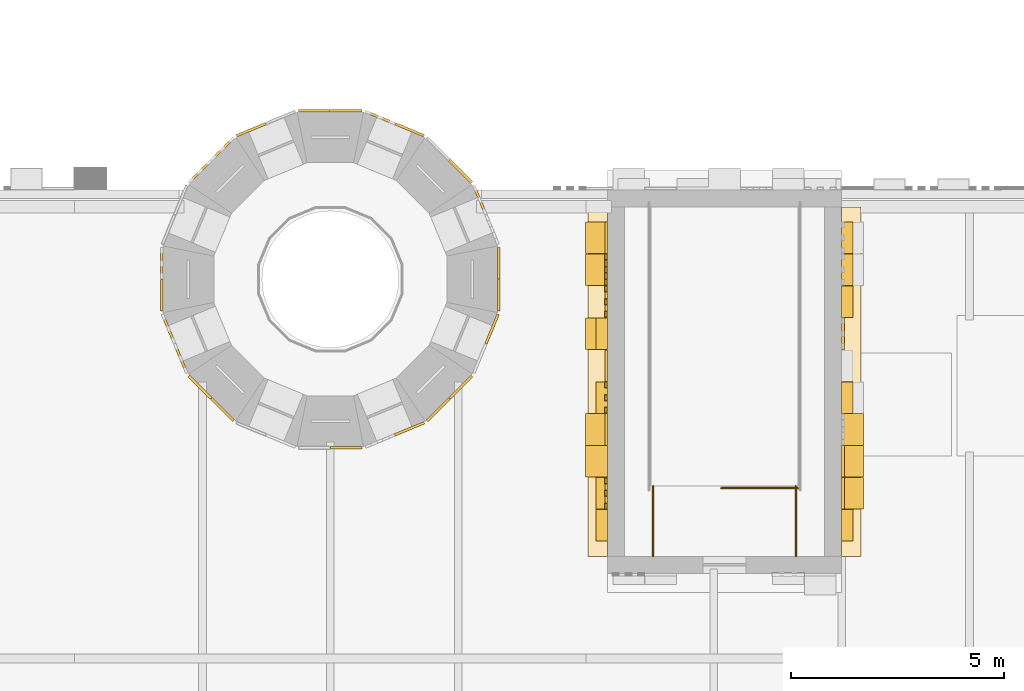
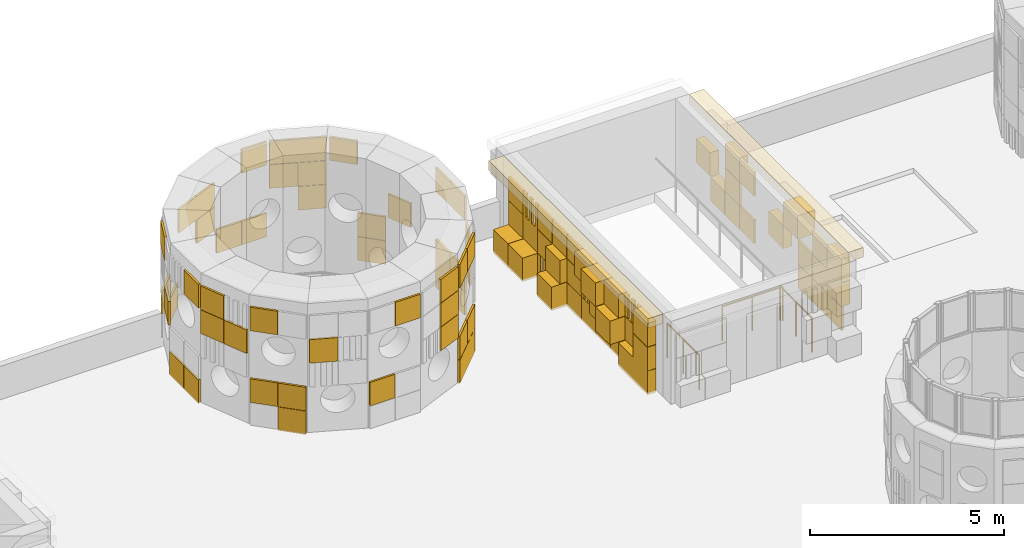
# One storey, part 71 of 98: 15 coverings, 3 railings.
"""IFC4 building model written with IfcOpenShell, lengths in metres."""

from ifc_helpers import new_model, si_unit, direction, frame, origin, origin_2d, place, context, subcontext, project, spatial, rectangle, circle, extrude, material, layer, layer_set, type_object, element, save


model = new_model("IFC4")

# Units and contexts
model_context = context("Model", 3, precision=1e-05, world=origin(), true_north=direction((0.0, 1.0)))
body_context = subcontext(model_context, "Body", "Model", "MODEL_VIEW")
ifc_project = project(units=[si_unit("LENGTHUNIT", "METRE"), si_unit("AREAUNIT", "SQUARE_METRE"), si_unit("VOLUMEUNIT", "CUBIC_METRE"), si_unit("PLANEANGLEUNIT", "RADIAN"), si_unit("MASSUNIT", "GRAM", prefix="KILO")], contexts=[model_context])

# Site, building, storey
site_placement = place(None, origin())
site = spatial("IfcSite", under=ifc_project, at=site_placement, CompositionType="ELEMENT")
building_placement = place(site_placement, origin())
building = spatial("IfcBuilding", under=site, at=building_placement, Name="Sun Court Science Centre", CompositionType="ELEMENT")
storey_placement = place(building_placement, frame((0.0, 0.0, 15.75)))
storey = spatial("IfcBuildingStorey", under=building, at=storey_placement, Name="L03", CompositionType="ELEMENT", Elevation=15.75)

# Railings
ifc_material_1 = material(Name="Steel S275", Category="steel")
railing_type = type_object("IfcRailingType", Name="Guard 1100 steel balustrade", PredefinedType="GUARDRAIL", material=ifc_material_1)
railing_placement = place(storey_placement, frame((28.972900390625, 20.998046875, 0.0)))
element("IfcRailing", 1, at=railing_placement, inside=storey, type_object=railing_type, Name="L03 SB2 top well guard 1", PredefinedType="GUARDRAIL", context=body_context, shape_type="SweptSolid", body=[
    extrude(circle(Radius=0.02392578125, at=origin_2d()), frame((0.0, 0.0, 1.076171875), z_axis=(-1.0, 0.0, 0.0), x_axis=(0.0, -1.0, 0.0)), (0.0, 0.0, 1.0), 1.7978515625),
    extrude(circle(Radius=0.02099609375, at=origin_2d()), origin(), (0.0, 0.0, 1.0), 1.052001953125),
    extrude(circle(Radius=0.02099609375, at=origin_2d()), frame((-0.89892578125, 0.0, 0.0)), (0.0, 0.0, 1.0), 1.052001953125),
    extrude(circle(Radius=0.02099609375, at=origin_2d()), frame((-1.7978515625, 0.0, 0.0)), (0.0, 0.0, 1.0), 1.052001953125),
])
for number, where, name in (
    (2, (28.923095703125, 19.39990234375, 0.0), "L03 SB2 top well guard 4"),
    (3, (25.576904296875, 19.39990234375, 0.0), "L03 SB2 top well guard 5"),
):
    element("IfcRailing", number, at=place(storey_placement, frame(where)), inside=storey, type_object=railing_type, Name=name, PredefinedType="GUARDRAIL", context=body_context, shape_type="SweptSolid", body=[
        extrude(circle(Radius=0.02392578125, at=origin_2d()), frame((0.0, 0.0, 1.076171875), z_axis=(0.0, 1.0, 0.0), x_axis=(-1.0, 0.0, 0.0)), (0.0, 0.0, 1.0), 1.648193359375),
        extrude(circle(Radius=0.02099609375, at=origin_2d()), origin(), (0.0, 0.0, 1.0), 1.052001953125),
        extrude(circle(Radius=0.02099609375, at=origin_2d()), frame((0.0, 0.82421875, 0.0)), (0.0, 0.0, 1.0), 1.052001953125),
        extrude(circle(Radius=0.02099609375, at=origin_2d()), frame((0.0, 1.648193359375, 0.0)), (0.0, 0.0, 1.0), 1.052001953125),
    ])

# Coverings
ifc_material_2 = material(Name="Terracotta panel", Category="masonry")
ifc_layer_1 = layer(ifc_material_2, 0.449951171875)
ifc_layer_set_1 = layer_set([ifc_layer_1], Name="Terracotta panel")
covering_type_1 = type_object("IfcCoveringType", Name="Terracotta cornice 450", PredefinedType="CLADDING", material=ifc_layer_set_1)
covering_1_placement = place(storey_placement, frame((0.0, 0.0, -15.75)))
element("IfcCovering", 4, at=covering_1_placement, inside=storey, type_object=covering_type_1, Name="Terracotta cornice east face of core L03", PredefinedType="CLADDING", context=body_context, shape_type="SweptSolid", body=[
    extrude(rectangle(XDim=8.199951171875, YDim=0.449951171875, at=origin_2d()), frame((30.22509765625, 23.5, 18.2001953125), z_axis=(0.0, 0.0, 1.0), x_axis=(0.0, -1.0, 0.0)), (0.0, 0.0, 1.0), 0.300048828125),
])
covering_2_placement = place(storey_placement, frame((0.0, 0.0, -15.75)))
element("IfcCovering", 5, at=covering_2_placement, inside=storey, type_object=covering_type_1, Name="Terracotta cornice west face of core L03", PredefinedType="CLADDING", context=body_context, shape_type="SweptSolid", body=[
    extrude(rectangle(XDim=8.199951171875, YDim=0.449951171875, at=origin_2d()), frame((24.27490234375, 23.5, 18.2001953125), z_axis=(0.0, 0.0, 1.0), x_axis=(0.0, 1.0, 0.0)), (0.0, 0.0, 1.0), 0.300048828125),
])
ifc_material_3 = material(Name="Terracotta jali", Category="masonry")
ifc_layer_2 = layer(ifc_material_3, 0.06005859375)
ifc_layer_set_2 = layer_set([ifc_layer_2], Name="Terracotta jali")
covering_type_2 = type_object("IfcCoveringType", Name="Terracotta open jali panel", PredefinedType="CLADDING", material=ifc_layer_set_2)
covering_3_placement = place(storey_placement, frame((0.0, 0.0, -15.75)))
element("IfcCovering", 6, at=covering_3_placement, inside=storey, type_object=covering_type_2, Name="Open jali pixel cladding west face of core L03", PredefinedType="CLADDING", context=body_context, shape_type="SweptSolid", body=[
    extrude(rectangle(XDim=0.139892578125, YDim=0.06005859375, at=origin_2d()), frame((24.469970703125, 25.074951171875, 15.830078125), z_axis=(0.0, 0.0, 1.0), x_axis=(0.0, 1.0, 0.0)), (0.0, 0.0, 1.0), 0.739990234375),
    extrude(rectangle(XDim=0.139892578125, YDim=0.06005859375, at=origin_2d()), frame((24.469970703125, 25.375, 15.830078125), z_axis=(0.0, 0.0, 1.0), x_axis=(0.0, 1.0, 0.0)), (0.0, 0.0, 1.0), 0.739990234375),
    extrude(rectangle(XDim=0.139892578125, YDim=0.06005859375, at=origin_2d()), frame((24.469970703125, 25.675048828125, 15.830078125), z_axis=(0.0, 0.0, 1.0), x_axis=(0.0, 1.0, 0.0)), (0.0, 0.0, 1.0), 0.739990234375),
    extrude(rectangle(XDim=0.139892578125, YDim=0.06005859375, at=origin_2d()), frame((24.469970703125, 22.824951171875, 16.580078125), z_axis=(0.0, 0.0, 1.0), x_axis=(0.0, 1.0, 0.0)), (0.0, 0.0, 1.0), 0.739990234375),
    extrude(rectangle(XDim=0.139892578125, YDim=0.06005859375, at=origin_2d()), frame((24.469970703125, 23.125, 16.580078125), z_axis=(0.0, 0.0, 1.0), x_axis=(0.0, 1.0, 0.0)), (0.0, 0.0, 1.0), 0.739990234375),
    extrude(rectangle(XDim=0.139892578125, YDim=0.06005859375, at=origin_2d()), frame((24.469970703125, 23.425048828125, 16.580078125), z_axis=(0.0, 0.0, 1.0), x_axis=(0.0, 1.0, 0.0)), (0.0, 0.0, 1.0), 0.739990234375),
    extrude(rectangle(XDim=0.139892578125, YDim=0.06005859375, at=origin_2d()), frame((24.469970703125, 20.574951171875, 17.330078125), z_axis=(0.0, 0.0, 1.0), x_axis=(0.0, 1.0, 0.0)), (0.0, 0.0, 1.0), 0.739990234375),
    extrude(rectangle(XDim=0.139892578125, YDim=0.06005859375, at=origin_2d()), frame((24.469970703125, 20.875, 17.330078125), z_axis=(0.0, 0.0, 1.0), x_axis=(0.0, 1.0, 0.0)), (0.0, 0.0, 1.0), 0.739990234375),
    extrude(rectangle(XDim=0.139892578125, YDim=0.06005859375, at=origin_2d()), frame((24.469970703125, 21.175048828125, 17.330078125), z_axis=(0.0, 0.0, 1.0), x_axis=(0.0, 1.0, 0.0)), (0.0, 0.0, 1.0), 0.739990234375),
    extrude(rectangle(XDim=0.139892578125, YDim=0.06005859375, at=origin_2d()), frame((24.469970703125, 25.824951171875, 17.330078125), z_axis=(0.0, 0.0, 1.0), x_axis=(0.0, 1.0, 0.0)), (0.0, 0.0, 1.0), 0.739990234375),
    extrude(rectangle(XDim=0.139892578125, YDim=0.06005859375, at=origin_2d()), frame((24.469970703125, 26.125, 17.330078125), z_axis=(0.0, 0.0, 1.0), x_axis=(0.0, 1.0, 0.0)), (0.0, 0.0, 1.0), 0.739990234375),
    extrude(rectangle(XDim=0.139892578125, YDim=0.06005859375, at=origin_2d()), frame((24.469970703125, 26.425048828125, 17.330078125), z_axis=(0.0, 0.0, 1.0), x_axis=(0.0, 1.0, 0.0)), (0.0, 0.0, 1.0), 0.739990234375),
    extrude(rectangle(XDim=0.739990234375, YDim=0.06005859375, at=origin_2d()), frame((24.469970703125, 26.125, 16.580078125), z_axis=(0.0, 0.0, 1.0), x_axis=(0.0, 1.0, 0.0)), (0.0, 0.0, 1.0), 0.739990234375),
])
ifc_material_4 = material(Name="Terracotta shade 1", Category="masonry")
ifc_layer_3 = layer(ifc_material_4, 0.06005859375)
ifc_layer_set_3 = layer_set([ifc_layer_3], Name="Terracotta shade 1")
covering_type_3 = type_object("IfcCoveringType", Name="Terracotta pixel panel shade 1", PredefinedType="CLADDING", material=ifc_layer_set_3)
covering_4_placement = place(storey_placement, frame((0.0, 0.0, -15.75)))
element("IfcCovering", 7, at=covering_4_placement, inside=storey, type_object=covering_type_3, Name="Terracotta pixel cladding shade 1 west face of core L03", PredefinedType="CLADDING", context=body_context, shape_type="SweptSolid", body=[
    extrude(rectangle(XDim=0.739990234375, YDim=0.260009765625, at=origin_2d()), frame((24.3701171875, 20.125, 15.830078125), z_axis=(0.0, 0.0, 1.0), x_axis=(0.0, 1.0, 0.0)), (0.0, 0.0, 1.0), 0.739990234375),
    extrude(rectangle(XDim=0.739990234375, YDim=0.260009765625, at=origin_2d()), frame((24.3701171875, 20.875, 15.830078125), z_axis=(0.0, 0.0, 1.0), x_axis=(0.0, 1.0, 0.0)), (0.0, 0.0, 1.0), 0.739990234375),
    extrude(rectangle(XDim=0.739990234375, YDim=0.06005859375, at=origin_2d()), frame((24.469970703125, 23.875, 15.830078125), z_axis=(0.0, 0.0, 1.0), x_axis=(0.0, 1.0, 0.0)), (0.0, 0.0, 1.0), 0.739990234375),
    extrude(rectangle(XDim=0.739990234375, YDim=0.510009765625, at=origin_2d()), frame((24.2451171875, 26.125, 15.830078125), z_axis=(0.0, 0.0, 1.0), x_axis=(0.0, 1.0, 0.0)), (0.0, 0.0, 1.0), 0.739990234375),
    extrude(rectangle(XDim=0.739990234375, YDim=0.260009765625, at=origin_2d()), frame((24.3701171875, 21.625, 17.330078125), z_axis=(0.0, 0.0, 1.0), x_axis=(0.0, 1.0, 0.0)), (0.0, 0.0, 1.0), 0.739990234375),
    extrude(rectangle(XDim=0.739990234375, YDim=0.06005859375, at=origin_2d()), frame((24.469970703125, 23.875, 17.330078125), z_axis=(0.0, 0.0, 1.0), x_axis=(0.0, 1.0, 0.0)), (0.0, 0.0, 1.0), 0.739990234375),
    extrude(rectangle(XDim=0.739990234375, YDim=0.06005859375, at=origin_2d()), frame((24.469970703125, 24.625, 17.330078125), z_axis=(0.0, 0.0, 1.0), x_axis=(0.0, 1.0, 0.0)), (0.0, 0.0, 1.0), 0.739990234375),
    extrude(rectangle(XDim=0.739990234375, YDim=0.06005859375, at=origin_2d()), frame((24.469970703125, 26.875, 17.330078125), z_axis=(0.0, 0.0, 1.0), x_axis=(0.0, 1.0, 0.0)), (0.0, 0.0, 1.0), 0.739990234375),
    extrude(rectangle(XDim=0.739990234375, YDim=0.260009765625, at=origin_2d()), frame((24.3701171875, 20.125, 16.580078125), z_axis=(0.0, 0.0, 1.0), x_axis=(0.0, 1.0, 0.0)), (0.0, 0.0, 1.0), 0.739990234375),
])
ifc_material_5 = material(Name="Terracotta shade 2", Category="masonry")
ifc_layer_4 = layer(ifc_material_5, 0.06005859375)
ifc_layer_set_4 = layer_set([ifc_layer_4], Name="Terracotta shade 2")
covering_type_4 = type_object("IfcCoveringType", Name="Terracotta pixel panel shade 2", PredefinedType="CLADDING", material=ifc_layer_set_4)
covering_5_placement = place(storey_placement, frame((0.0, 0.0, -15.75)))
element("IfcCovering", 8, at=covering_5_placement, inside=storey, type_object=covering_type_4, Name="Terracotta pixel cladding shade 2 cone 2 L03", PredefinedType="CLADDING", context=body_context, shape_type="SweptSolid", body=[
    extrude(rectangle(XDim=0.739990234375, YDim=0.06005859375, at=origin_2d()), frame((21.5087890625, 27.75927734375, 17.365234375), z_axis=(0.0, 0.0, 1.0), x_axis=(0.382683432365, -0.923879532511, 0.0)), (0.0, 0.0, 1.0), 0.739990234375),
    extrude(rectangle(XDim=0.739990234375, YDim=0.06005859375, at=origin_2d()), frame((21.060546875, 28.43017578125, 15.865234375), z_axis=(0.0, 0.0, 1.0), x_axis=(0.707106781187, -0.707106781187, 0.0)), (0.0, 0.0, 1.0), 0.739990234375),
    extrude(rectangle(XDim=0.739990234375, YDim=0.06005859375, at=origin_2d()), frame((19.859375, 29.40869140625, 17.365234375), z_axis=(0.0, 0.0, 1.0), x_axis=(0.923879532511, -0.382683432365, 0.0)), (0.0, 0.0, 1.0), 0.739990234375),
    extrude(rectangle(XDim=0.739990234375, YDim=0.06005859375, at=origin_2d()), frame((19.859375, 29.40869140625, 18.115234375), z_axis=(0.0, 0.0, 1.0), x_axis=(0.923879532511, -0.382683432365, 0.0)), (0.0, 0.0, 1.0), 0.739990234375),
    extrude(rectangle(XDim=0.739990234375, YDim=0.06005859375, at=origin_2d()), frame((19.166259765625, 29.69580078125, 18.865234375), z_axis=(0.0, 0.0, 1.0), x_axis=(0.923879532511, -0.382683432365, 0.0)), (0.0, 0.0, 1.0), 0.739990234375),
    extrude(rectangle(XDim=0.739990234375, YDim=0.06005859375, at=origin_2d()), frame((19.859375, 29.40869140625, 18.865234375), z_axis=(0.0, 0.0, 1.0), x_axis=(0.923879532511, -0.382683432365, 0.0)), (0.0, 0.0, 1.0), 0.739990234375),
    extrude(rectangle(XDim=0.739990234375, YDim=0.06005859375, at=origin_2d()), frame((15.469970703125, 28.96044921875, 15.865234375), z_axis=(0.0, 0.0, 1.0), x_axis=(0.707106781187, 0.707106781187, 0.0)), (0.0, 0.0, 1.0), 0.739990234375),
    extrude(rectangle(XDim=0.739990234375, YDim=0.06005859375, at=origin_2d()), frame((14.939453125, 28.43017578125, 16.615234375), z_axis=(0.0, 0.0, 1.0), x_axis=(0.707106781187, 0.707106781187, 0.0)), (0.0, 0.0, 1.0), 0.739990234375),
    extrude(rectangle(XDim=0.739990234375, YDim=0.06005859375, at=origin_2d()), frame((14.4912109375, 24.040771484375, 18.115234375), z_axis=(0.0, 0.0, 1.0), x_axis=(-0.382683432365, 0.923879532511, 0.0)), (0.0, 0.0, 1.0), 0.739990234375),
    extrude(rectangle(XDim=0.739990234375, YDim=0.06005859375, at=origin_2d()), frame((17.625, 21.94677734375, 16.615234375), z_axis=(0.0, 0.0, 1.0), x_axis=(-1.0, 0.0, 0.0)), (0.0, 0.0, 1.0), 0.739990234375),
    extrude(rectangle(XDim=0.739990234375, YDim=0.06005859375, at=origin_2d()), frame((18.375, 21.94677734375, 18.865234375), z_axis=(0.0, 0.0, 1.0), x_axis=(-1.0, 0.0, 0.0)), (0.0, 0.0, 1.0), 0.739990234375),
    extrude(rectangle(XDim=0.739990234375, YDim=0.06005859375, at=origin_2d()), frame((19.859375, 22.391357421875, 18.115234375), z_axis=(0.0, 0.0, 1.0), x_axis=(-0.923879532511, -0.382683432365, 0.0)), (0.0, 0.0, 1.0), 0.739990234375),
    extrude(rectangle(XDim=0.739990234375, YDim=0.06005859375, at=origin_2d()), frame((21.060546875, 23.369873046875, 15.865234375), z_axis=(0.0, 0.0, 1.0), x_axis=(-0.707106781187, -0.707106781187, 0.0)), (0.0, 0.0, 1.0), 0.739990234375),
    extrude(rectangle(XDim=0.739990234375, YDim=0.06005859375, at=origin_2d()), frame((20.530029296875, 22.839599609375, 15.865234375), z_axis=(0.0, 0.0, 1.0), x_axis=(-0.707106781187, -0.707106781187, 0.0)), (0.0, 0.0, 1.0), 0.739990234375),
    extrude(rectangle(XDim=0.739990234375, YDim=0.06005859375, at=origin_2d()), frame((21.060546875, 23.369873046875, 16.615234375), z_axis=(0.0, 0.0, 1.0), x_axis=(-0.707106781187, -0.707106781187, 0.0)), (0.0, 0.0, 1.0), 0.739990234375),
    extrude(rectangle(XDim=0.739990234375, YDim=0.06005859375, at=origin_2d()), frame((20.530029296875, 22.839599609375, 18.865234375), z_axis=(0.0, 0.0, 1.0), x_axis=(-0.707106781187, -0.707106781187, 0.0)), (0.0, 0.0, 1.0), 0.739990234375),
    extrude(rectangle(XDim=0.739990234375, YDim=0.06005859375, at=origin_2d()), frame((21.795654296875, 24.733642578125, 17.365234375), z_axis=(0.0, 0.0, 1.0), x_axis=(-0.382683432365, -0.923879532511, 0.0)), (0.0, 0.0, 1.0), 0.739990234375),
    extrude(rectangle(XDim=0.739990234375, YDim=0.06005859375, at=origin_2d()), frame((21.795654296875, 24.733642578125, 18.115234375), z_axis=(0.0, 0.0, 1.0), x_axis=(-0.382683432365, -0.923879532511, 0.0)), (0.0, 0.0, 1.0), 0.739990234375),
    extrude(rectangle(XDim=0.739990234375, YDim=0.06005859375, at=origin_2d()), frame((21.953125, 25.52490234375, 15.865234375), z_axis=(0.0, 0.0, 1.0), x_axis=(0.0, -1.0, 0.0)), (0.0, 0.0, 1.0), 0.739990234375),
    extrude(rectangle(XDim=0.739990234375, YDim=0.06005859375, at=origin_2d()), frame((21.953125, 26.27490234375, 18.865234375), z_axis=(0.0, 0.0, 1.0), x_axis=(0.0, -1.0, 0.0)), (0.0, 0.0, 1.0), 0.739990234375),
    extrude(rectangle(XDim=0.739990234375, YDim=0.06005859375, at=origin_2d()), frame((21.953125, 26.27490234375, 15.865234375), z_axis=(0.0, 0.0, 1.0), x_axis=(0.0, -1.0, 0.0)), (0.0, 0.0, 1.0), 0.739990234375),
    extrude(rectangle(XDim=0.739990234375, YDim=0.06005859375, at=origin_2d()), frame((21.953125, 26.27490234375, 16.615234375), z_axis=(0.0, 0.0, 1.0), x_axis=(0.0, -1.0, 0.0)), (0.0, 0.0, 1.0), 0.739990234375),
    extrude(rectangle(XDim=0.739990234375, YDim=0.06005859375, at=origin_2d()), frame((21.953125, 25.52490234375, 18.865234375), z_axis=(0.0, 0.0, 1.0), x_axis=(0.0, -1.0, 0.0)), (0.0, 0.0, 1.0), 0.739990234375),
])
covering_6_placement = place(storey_placement, frame((0.0, 0.0, -15.75)))
element("IfcCovering", 9, at=covering_6_placement, inside=storey, type_object=covering_type_4, Name="Terracotta pixel cladding shade 2 east face of core L03", PredefinedType="CLADDING", context=body_context, shape_type="SweptSolid", body=[
    extrude(rectangle(XDim=0.739990234375, YDim=0.260009765625, at=origin_2d()), frame((30.1298828125, 26.125, 15.830078125), z_axis=(0.0, 0.0, 1.0), x_axis=(0.0, -1.0, 0.0)), (0.0, 0.0, 1.0), 0.739990234375),
    extrude(rectangle(XDim=0.739990234375, YDim=0.06005859375, at=origin_2d()), frame((30.030029296875, 25.375, 15.830078125), z_axis=(0.0, 0.0, 1.0), x_axis=(0.0, -1.0, 0.0)), (0.0, 0.0, 1.0), 0.739990234375),
    extrude(rectangle(XDim=0.739990234375, YDim=0.510009765625, at=origin_2d()), frame((30.2548828125, 21.625, 15.830078125), z_axis=(0.0, 0.0, 1.0), x_axis=(0.0, -1.0, 0.0)), (0.0, 0.0, 1.0), 0.739990234375),
    extrude(rectangle(XDim=0.739990234375, YDim=0.510009765625, at=origin_2d()), frame((30.2548828125, 20.875, 16.580078125), z_axis=(0.0, 0.0, 1.0), x_axis=(0.0, -1.0, 0.0)), (0.0, 0.0, 1.0), 0.739990234375),
    extrude(rectangle(XDim=0.739990234375, YDim=0.06005859375, at=origin_2d()), frame((30.030029296875, 24.625, 17.330078125), z_axis=(0.0, 0.0, 1.0), x_axis=(0.0, -1.0, 0.0)), (0.0, 0.0, 1.0), 0.739990234375),
    extrude(rectangle(XDim=0.739990234375, YDim=0.260009765625, at=origin_2d()), frame((30.1298828125, 20.125, 17.330078125), z_axis=(0.0, 0.0, 1.0), x_axis=(0.0, -1.0, 0.0)), (0.0, 0.0, 1.0), 0.739990234375),
    extrude(rectangle(XDim=0.739990234375, YDim=0.260009765625, at=origin_2d()), frame((30.1298828125, 20.125, 16.580078125), z_axis=(0.0, 0.0, 1.0), x_axis=(0.0, -1.0, 0.0)), (0.0, 0.0, 1.0), 0.739990234375),
    extrude(rectangle(XDim=0.739990234375, YDim=0.06005859375, at=origin_2d()), frame((30.030029296875, 20.125, 15.830078125), z_axis=(0.0, 0.0, 1.0), x_axis=(0.0, -1.0, 0.0)), (0.0, 0.0, 1.0), 0.739990234375),
])
covering_7_placement = place(storey_placement, frame((0.0, 0.0, -15.75)))
element("IfcCovering", 10, at=covering_7_placement, inside=storey, type_object=covering_type_4, Name="Terracotta pixel cladding shade 2 west face of core L03", PredefinedType="CLADDING", context=body_context, shape_type="SweptSolid", body=[
    extrude(rectangle(XDim=0.739990234375, YDim=0.06005859375, at=origin_2d()), frame((24.469970703125, 23.125, 15.830078125), z_axis=(0.0, 0.0, 1.0), x_axis=(0.0, 1.0, 0.0)), (0.0, 0.0, 1.0), 0.739990234375),
    extrude(rectangle(XDim=0.739990234375, YDim=0.510009765625, at=origin_2d()), frame((24.2451171875, 24.625, 15.830078125), z_axis=(0.0, 0.0, 1.0), x_axis=(0.0, 1.0, 0.0)), (0.0, 0.0, 1.0), 0.739990234375),
    extrude(rectangle(XDim=0.739990234375, YDim=0.510009765625, at=origin_2d()), frame((24.2451171875, 26.875, 15.830078125), z_axis=(0.0, 0.0, 1.0), x_axis=(0.0, 1.0, 0.0)), (0.0, 0.0, 1.0), 0.739990234375),
    extrude(rectangle(XDim=0.739990234375, YDim=0.510009765625, at=origin_2d()), frame((24.2451171875, 21.625, 16.580078125), z_axis=(0.0, 0.0, 1.0), x_axis=(0.0, 1.0, 0.0)), (0.0, 0.0, 1.0), 0.739990234375),
    extrude(rectangle(XDim=0.739990234375, YDim=0.06005859375, at=origin_2d()), frame((24.469970703125, 26.875, 16.580078125), z_axis=(0.0, 0.0, 1.0), x_axis=(0.0, 1.0, 0.0)), (0.0, 0.0, 1.0), 0.739990234375),
    extrude(rectangle(XDim=0.739990234375, YDim=0.06005859375, at=origin_2d()), frame((24.469970703125, 21.625, 15.830078125), z_axis=(0.0, 0.0, 1.0), x_axis=(0.0, 1.0, 0.0)), (0.0, 0.0, 1.0), 0.739990234375),
])
ifc_material_6 = material(Name="Terracotta shade 3", Category="masonry")
ifc_layer_5 = layer(ifc_material_6, 0.06005859375)
ifc_layer_set_5 = layer_set([ifc_layer_5], Name="Terracotta shade 3")
covering_type_5 = type_object("IfcCoveringType", Name="Terracotta pixel panel shade 3", PredefinedType="CLADDING", material=ifc_layer_set_5)
covering_8_placement = place(storey_placement, frame((0.0, 0.0, -15.75)))
element("IfcCovering", 11, at=covering_8_placement, inside=storey, type_object=covering_type_5, Name="Terracotta pixel cladding shade 3 cone 2 L03", PredefinedType="CLADDING", context=body_context, shape_type="SweptSolid", body=[
    extrude(rectangle(XDim=0.739990234375, YDim=0.06005859375, at=origin_2d()), frame((18.375, 29.85302734375, 18.865234375), z_axis=(0.0, 0.0, 1.0), x_axis=(1.0, 0.0, 0.0)), (0.0, 0.0, 1.0), 0.739990234375),
    extrude(rectangle(XDim=0.739990234375, YDim=0.06005859375, at=origin_2d()), frame((16.833740234375, 29.69580078125, 17.365234375), z_axis=(0.0, 0.0, 1.0), x_axis=(0.923879532511, 0.382683432365, 0.0)), (0.0, 0.0, 1.0), 0.739990234375),
    extrude(rectangle(XDim=0.739990234375, YDim=0.06005859375, at=origin_2d()), frame((14.4912109375, 27.75927734375, 18.865234375), z_axis=(0.0, 0.0, 1.0), x_axis=(0.382683432365, 0.923879532511, 0.0)), (0.0, 0.0, 1.0), 0.739990234375),
    extrude(rectangle(XDim=0.739990234375, YDim=0.06005859375, at=origin_2d()), frame((14.046875, 26.27490234375, 15.865234375), z_axis=(0.0, 0.0, 1.0), x_axis=(0.0, 1.0, 0.0)), (0.0, 0.0, 1.0), 0.739990234375),
    extrude(rectangle(XDim=0.739990234375, YDim=0.06005859375, at=origin_2d()), frame((14.046875, 25.52490234375, 18.865234375), z_axis=(0.0, 0.0, 1.0), x_axis=(0.0, 1.0, 0.0)), (0.0, 0.0, 1.0), 0.739990234375),
    extrude(rectangle(XDim=0.739990234375, YDim=0.06005859375, at=origin_2d()), frame((14.204345703125, 24.733642578125, 18.115234375), z_axis=(0.0, 0.0, 1.0), x_axis=(-0.382683432365, 0.923879532511, 0.0)), (0.0, 0.0, 1.0), 0.739990234375),
    extrude(rectangle(XDim=0.739990234375, YDim=0.06005859375, at=origin_2d()), frame((14.204345703125, 24.733642578125, 18.865234375), z_axis=(0.0, 0.0, 1.0), x_axis=(-0.382683432365, 0.923879532511, 0.0)), (0.0, 0.0, 1.0), 0.739990234375),
    extrude(rectangle(XDim=0.739990234375, YDim=0.06005859375, at=origin_2d()), frame((15.469970703125, 22.839599609375, 15.865234375), z_axis=(0.0, 0.0, 1.0), x_axis=(-0.707106781187, 0.707106781187, 0.0)), (0.0, 0.0, 1.0), 0.739990234375),
    extrude(rectangle(XDim=0.739990234375, YDim=0.06005859375, at=origin_2d()), frame((15.469970703125, 22.839599609375, 16.615234375), z_axis=(0.0, 0.0, 1.0), x_axis=(-0.707106781187, 0.707106781187, 0.0)), (0.0, 0.0, 1.0), 0.739990234375),
    extrude(rectangle(XDim=0.739990234375, YDim=0.06005859375, at=origin_2d()), frame((14.939453125, 23.369873046875, 16.615234375), z_axis=(0.0, 0.0, 1.0), x_axis=(-0.707106781187, 0.707106781187, 0.0)), (0.0, 0.0, 1.0), 0.739990234375),
    extrude(rectangle(XDim=0.739990234375, YDim=0.06005859375, at=origin_2d()), frame((14.939453125, 23.369873046875, 18.865234375), z_axis=(0.0, 0.0, 1.0), x_axis=(-0.707106781187, 0.707106781187, 0.0)), (0.0, 0.0, 1.0), 0.739990234375),
    extrude(rectangle(XDim=0.739990234375, YDim=0.06005859375, at=origin_2d()), frame((19.859375, 22.391357421875, 17.365234375), z_axis=(0.0, 0.0, 1.0), x_axis=(-0.923879532511, -0.382683432365, 0.0)), (0.0, 0.0, 1.0), 0.739990234375),
    extrude(rectangle(XDim=0.739990234375, YDim=0.06005859375, at=origin_2d()), frame((21.060546875, 23.369873046875, 18.865234375), z_axis=(0.0, 0.0, 1.0), x_axis=(-0.707106781187, -0.707106781187, 0.0)), (0.0, 0.0, 1.0), 0.739990234375),
    extrude(rectangle(XDim=0.739990234375, YDim=0.06005859375, at=origin_2d()), frame((14.046875, 25.52490234375, 15.865234375), z_axis=(0.0, 0.0, 1.0), x_axis=(0.0, 1.0, 0.0)), (0.0, 0.0, 1.0), 0.739990234375),
])
covering_9_placement = place(storey_placement, frame((0.0, 0.0, -15.75)))
element("IfcCovering", 12, at=covering_9_placement, inside=storey, type_object=covering_type_5, Name="Terracotta pixel cladding shade 3 east face of core L03", PredefinedType="CLADDING", context=body_context, shape_type="SweptSolid", body=[
    extrude(rectangle(XDim=0.739990234375, YDim=0.06005859375, at=origin_2d()), frame((30.030029296875, 24.625, 15.830078125), z_axis=(0.0, 0.0, 1.0), x_axis=(0.0, -1.0, 0.0)), (0.0, 0.0, 1.0), 0.739990234375),
    extrude(rectangle(XDim=0.739990234375, YDim=0.260009765625, at=origin_2d()), frame((30.1298828125, 26.875, 16.580078125), z_axis=(0.0, 0.0, 1.0), x_axis=(0.0, -1.0, 0.0)), (0.0, 0.0, 1.0), 0.739990234375),
    extrude(rectangle(XDim=0.739990234375, YDim=0.06005859375, at=origin_2d()), frame((30.030029296875, 25.375, 16.580078125), z_axis=(0.0, 0.0, 1.0), x_axis=(0.0, -1.0, 0.0)), (0.0, 0.0, 1.0), 0.739990234375),
    extrude(rectangle(XDim=0.739990234375, YDim=0.260009765625, at=origin_2d()), frame((30.1298828125, 25.375, 17.330078125), z_axis=(0.0, 0.0, 1.0), x_axis=(0.0, -1.0, 0.0)), (0.0, 0.0, 1.0), 0.739990234375),
    extrude(rectangle(XDim=0.739990234375, YDim=0.06005859375, at=origin_2d()), frame((30.030029296875, 20.875, 17.330078125), z_axis=(0.0, 0.0, 1.0), x_axis=(0.0, -1.0, 0.0)), (0.0, 0.0, 1.0), 0.739990234375),
    extrude(rectangle(XDim=0.739990234375, YDim=0.06005859375, at=origin_2d()), frame((30.030029296875, 20.875, 15.830078125), z_axis=(0.0, 0.0, 1.0), x_axis=(0.0, -1.0, 0.0)), (0.0, 0.0, 1.0), 0.739990234375),
])
covering_10_placement = place(storey_placement, frame((0.0, 0.0, -15.75)))
element("IfcCovering", 13, at=covering_10_placement, inside=storey, type_object=covering_type_5, Name="Terracotta pixel cladding shade 3 west face of core L03", PredefinedType="CLADDING", context=body_context, shape_type="SweptSolid", body=[
    extrude(rectangle(XDim=0.739990234375, YDim=0.260009765625, at=origin_2d()), frame((24.3701171875, 22.375, 16.580078125), z_axis=(0.0, 0.0, 1.0), x_axis=(0.0, 1.0, 0.0)), (0.0, 0.0, 1.0), 0.739990234375),
    extrude(rectangle(XDim=0.739990234375, YDim=0.260009765625, at=origin_2d()), frame((24.3701171875, 24.625, 16.580078125), z_axis=(0.0, 0.0, 1.0), x_axis=(0.0, 1.0, 0.0)), (0.0, 0.0, 1.0), 0.739990234375),
    extrude(rectangle(XDim=0.739990234375, YDim=0.510009765625, at=origin_2d()), frame((24.2451171875, 22.375, 17.330078125), z_axis=(0.0, 0.0, 1.0), x_axis=(0.0, 1.0, 0.0)), (0.0, 0.0, 1.0), 0.739990234375),
    extrude(rectangle(XDim=0.739990234375, YDim=0.06005859375, at=origin_2d()), frame((24.469970703125, 25.375, 17.330078125), z_axis=(0.0, 0.0, 1.0), x_axis=(0.0, 1.0, 0.0)), (0.0, 0.0, 1.0), 0.739990234375),
    extrude(rectangle(XDim=0.739990234375, YDim=0.06005859375, at=origin_2d()), frame((24.469970703125, 25.375, 16.580078125), z_axis=(0.0, 0.0, 1.0), x_axis=(0.0, 1.0, 0.0)), (0.0, 0.0, 1.0), 0.739990234375),
])
ifc_material_7 = material(Name="Terracotta shade 4", Category="masonry")
ifc_layer_6 = layer(ifc_material_7, 0.06005859375)
ifc_layer_set_6 = layer_set([ifc_layer_6], Name="Terracotta shade 4")
covering_type_6 = type_object("IfcCoveringType", Name="Terracotta pixel panel shade 4", PredefinedType="CLADDING", material=ifc_layer_set_6)
covering_11_placement = place(storey_placement, frame((0.0, 0.0, -15.75)))
element("IfcCovering", 14, at=covering_11_placement, inside=storey, type_object=covering_type_6, Name="Terracotta pixel cladding shade 4 cone 2 L03", PredefinedType="CLADDING", context=body_context, shape_type="SweptSolid", body=[
    extrude(rectangle(XDim=0.739990234375, YDim=0.06005859375, at=origin_2d()), frame((21.060546875, 28.43017578125, 16.615234375), z_axis=(0.0, 0.0, 1.0), x_axis=(0.707106781187, -0.707106781187, 0.0)), (0.0, 0.0, 1.0), 0.739990234375),
    extrude(rectangle(XDim=0.739990234375, YDim=0.06005859375, at=origin_2d()), frame((20.530029296875, 28.96044921875, 18.865234375), z_axis=(0.0, 0.0, 1.0), x_axis=(0.707106781187, -0.707106781187, 0.0)), (0.0, 0.0, 1.0), 0.739990234375),
    extrude(rectangle(XDim=0.739990234375, YDim=0.06005859375, at=origin_2d()), frame((19.166259765625, 29.69580078125, 18.115234375), z_axis=(0.0, 0.0, 1.0), x_axis=(0.923879532511, -0.382683432365, 0.0)), (0.0, 0.0, 1.0), 0.739990234375),
    extrude(rectangle(XDim=0.739990234375, YDim=0.06005859375, at=origin_2d()), frame((17.625, 29.85302734375, 16.615234375), z_axis=(0.0, 0.0, 1.0), x_axis=(1.0, 0.0, 0.0)), (0.0, 0.0, 1.0), 0.739990234375),
    extrude(rectangle(XDim=0.739990234375, YDim=0.06005859375, at=origin_2d()), frame((16.140625, 29.40869140625, 18.115234375), z_axis=(0.0, 0.0, 1.0), x_axis=(0.923879532511, 0.382683432365, 0.0)), (0.0, 0.0, 1.0), 0.739990234375),
    extrude(rectangle(XDim=0.739990234375, YDim=0.06005859375, at=origin_2d()), frame((16.833740234375, 29.69580078125, 18.115234375), z_axis=(0.0, 0.0, 1.0), x_axis=(0.923879532511, 0.382683432365, 0.0)), (0.0, 0.0, 1.0), 0.739990234375),
    extrude(rectangle(XDim=0.739990234375, YDim=0.06005859375, at=origin_2d()), frame((14.204345703125, 27.06640625, 17.365234375), z_axis=(0.0, 0.0, 1.0), x_axis=(0.382683432365, 0.923879532511, 0.0)), (0.0, 0.0, 1.0), 0.739990234375),
    extrude(rectangle(XDim=0.739990234375, YDim=0.06005859375, at=origin_2d()), frame((16.140625, 22.391357421875, 18.115234375), z_axis=(0.0, 0.0, 1.0), x_axis=(-0.923879532511, 0.382683432365, 0.0)), (0.0, 0.0, 1.0), 0.739990234375),
    extrude(rectangle(XDim=0.739990234375, YDim=0.06005859375, at=origin_2d()), frame((19.859375, 22.391357421875, 18.865234375), z_axis=(0.0, 0.0, 1.0), x_axis=(-0.923879532511, -0.382683432365, 0.0)), (0.0, 0.0, 1.0), 0.739990234375),
    extrude(rectangle(XDim=0.739990234375, YDim=0.06005859375, at=origin_2d()), frame((20.530029296875, 22.839599609375, 16.615234375), z_axis=(0.0, 0.0, 1.0), x_axis=(-0.707106781187, -0.707106781187, 0.0)), (0.0, 0.0, 1.0), 0.739990234375),
    extrude(rectangle(XDim=0.739990234375, YDim=0.06005859375, at=origin_2d()), frame((21.953125, 25.52490234375, 16.615234375), z_axis=(0.0, 0.0, 1.0), x_axis=(0.0, -1.0, 0.0)), (0.0, 0.0, 1.0), 0.739990234375),
    extrude(rectangle(XDim=0.739990234375, YDim=0.06005859375, at=origin_2d()), frame((18.375, 29.85302734375, 16.615234375), z_axis=(0.0, 0.0, 1.0), x_axis=(1.0, 0.0, 0.0)), (0.0, 0.0, 1.0), 0.739990234375),
])
covering_12_placement = place(storey_placement, frame((0.0, 0.0, -15.75)))
element("IfcCovering", 15, at=covering_12_placement, inside=storey, type_object=covering_type_6, Name="Terracotta pixel cladding shade 4 east face of core L03", PredefinedType="CLADDING", context=body_context, shape_type="SweptSolid", body=[
    extrude(rectangle(XDim=0.739990234375, YDim=0.260009765625, at=origin_2d()), frame((30.1298828125, 23.125, 16.580078125), z_axis=(0.0, 0.0, 1.0), x_axis=(0.0, -1.0, 0.0)), (0.0, 0.0, 1.0), 0.739990234375),
    extrude(rectangle(XDim=0.739990234375, YDim=0.06005859375, at=origin_2d()), frame((30.030029296875, 21.625, 16.580078125), z_axis=(0.0, 0.0, 1.0), x_axis=(0.0, -1.0, 0.0)), (0.0, 0.0, 1.0), 0.739990234375),
])
covering_13_placement = place(storey_placement, frame((0.0, 0.0, -15.75)))
element("IfcCovering", 16, at=covering_13_placement, inside=storey, type_object=covering_type_6, Name="Terracotta pixel cladding shade 4 west face of core L03", PredefinedType="CLADDING", context=body_context, shape_type="SweptSolid", body=[
    extrude(rectangle(XDim=0.739990234375, YDim=0.06005859375, at=origin_2d()), frame((24.469970703125, 22.375, 15.830078125), z_axis=(0.0, 0.0, 1.0), x_axis=(0.0, 1.0, 0.0)), (0.0, 0.0, 1.0), 0.739990234375),
    extrude(rectangle(XDim=0.739990234375, YDim=0.06005859375, at=origin_2d()), frame((24.469970703125, 20.875, 16.580078125), z_axis=(0.0, 0.0, 1.0), x_axis=(0.0, 1.0, 0.0)), (0.0, 0.0, 1.0), 0.739990234375),
    extrude(rectangle(XDim=0.739990234375, YDim=0.260009765625, at=origin_2d()), frame((24.3701171875, 20.125, 17.330078125), z_axis=(0.0, 0.0, 1.0), x_axis=(0.0, 1.0, 0.0)), (0.0, 0.0, 1.0), 0.739990234375),
])
ifc_material_8 = material(Name="Terracotta shade 5", Category="masonry")
ifc_layer_7 = layer(ifc_material_8, 0.06005859375)
ifc_layer_set_7 = layer_set([ifc_layer_7], Name="Terracotta shade 5")
covering_type_7 = type_object("IfcCoveringType", Name="Terracotta pixel panel shade 5", PredefinedType="CLADDING", material=ifc_layer_set_7)
covering_14_placement = place(storey_placement, frame((0.0, 0.0, -15.75)))
element("IfcCovering", 17, at=covering_14_placement, inside=storey, type_object=covering_type_7, Name="Terracotta pixel cladding shade 5 east face of core L03", PredefinedType="CLADDING", context=body_context, shape_type="SweptSolid", body=[
    extrude(rectangle(XDim=0.739990234375, YDim=0.510009765625, at=origin_2d()), frame((30.2548828125, 22.375, 17.330078125), z_axis=(0.0, 0.0, 1.0), x_axis=(0.0, -1.0, 0.0)), (0.0, 0.0, 1.0), 0.739990234375),
])
covering_15_placement = place(storey_placement, frame((0.0, 0.0, -15.75)))
element("IfcCovering", 18, at=covering_15_placement, inside=storey, type_object=covering_type_7, Name="Terracotta pixel cladding shade 5 west face of core L03", PredefinedType="CLADDING", context=body_context, shape_type="SweptSolid", body=[
    extrude(rectangle(XDim=0.739990234375, YDim=0.06005859375, at=origin_2d()), frame((24.469970703125, 23.875, 16.580078125), z_axis=(0.0, 0.0, 1.0), x_axis=(0.0, 1.0, 0.0)), (0.0, 0.0, 1.0), 0.739990234375),
    extrude(rectangle(XDim=0.739990234375, YDim=0.260009765625, at=origin_2d()), frame((24.3701171875, 23.125, 17.330078125), z_axis=(0.0, 0.0, 1.0), x_axis=(0.0, 1.0, 0.0)), (0.0, 0.0, 1.0), 0.739990234375),
])

save(model, "model.ifc")
